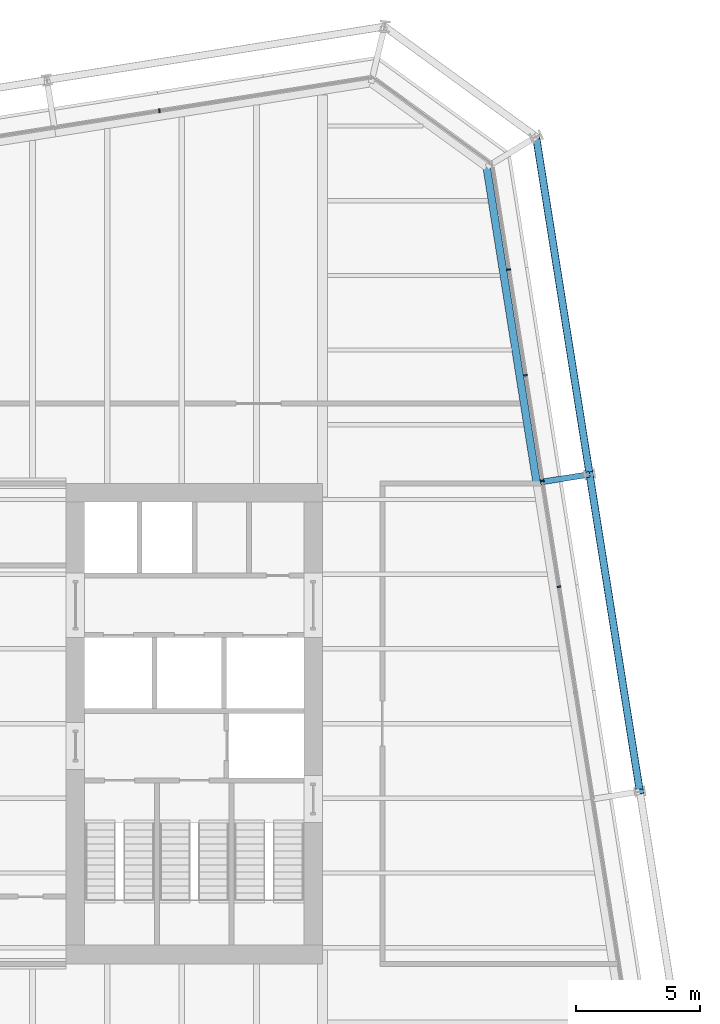
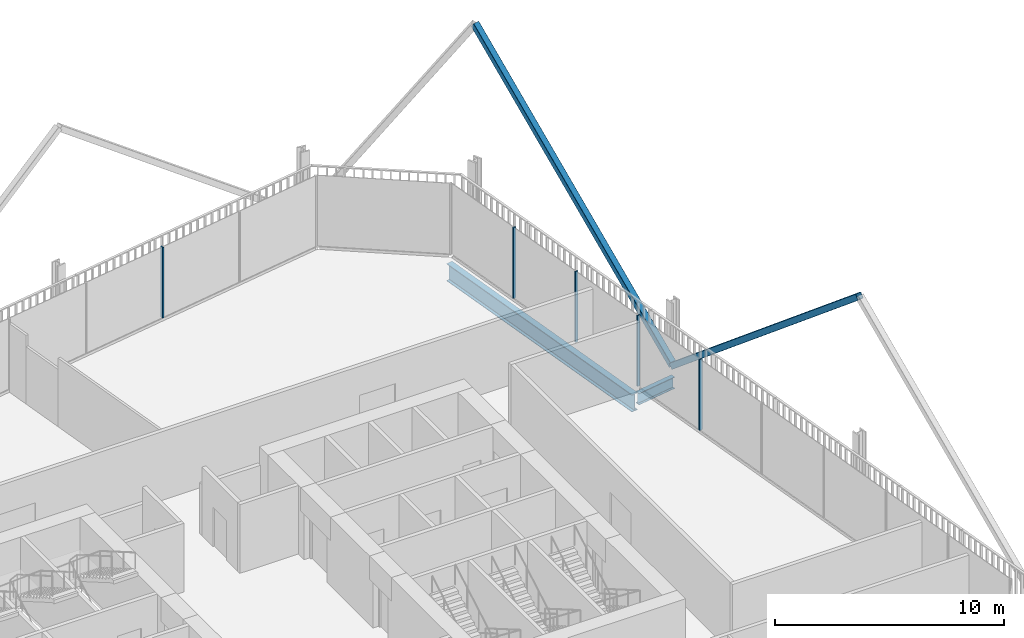
# One storey, part 15 of 22: 7 members, 2 beams, 2 elements without a shape of their own.
"""IFC4 building model written with IfcOpenShell, lengths in metres."""

from ifc_helpers import new_model, si_unit, direction, frame, origin, origin_2d, place, context, subcontext, project, spatial, rectangle, hollow_rectangle, i_section, extrude, material, layer, layer_set, material_profile, profile_set, type_object, element, aggregate, save


model = new_model("IFC4")

# Units and contexts
model_context = context("Model", 3, precision=1e-05, world=origin(), true_north=direction((0.0, 1.0)))
body_context = subcontext(model_context, "Body", "Model", "MODEL_VIEW")
ifc_project = project(units=[si_unit("LENGTHUNIT", "METRE"), si_unit("AREAUNIT", "SQUARE_METRE"), si_unit("VOLUMEUNIT", "CUBIC_METRE"), si_unit("PLANEANGLEUNIT", "RADIAN"), si_unit("MASSUNIT", "GRAM", prefix="KILO")], contexts=[model_context])

# Site, building, storey
site_placement = place(None, origin())
site = spatial("IfcSite", under=ifc_project, at=site_placement, CompositionType="ELEMENT")
building_placement = place(site_placement, origin())
building = spatial("IfcBuilding", under=site, at=building_placement, Name="Millrace Tower", CompositionType="ELEMENT")
storey_placement = place(building_placement, frame((0.0, 0.0, 168.5)))
storey = spatial("IfcBuildingStorey", under=building, at=storey_placement, Name="L38", CompositionType="ELEMENT", Elevation=168.5)

# Curtain wall, members
ifc_material_1 = material(Name="Aluminium and glass", Category="aluminium")
ifc_layer = layer(ifc_material_1, 0.14990234375)
ifc_layer_set = layer_set([ifc_layer], Name="Aluminium and glass")
curtain_wall_type = type_object("IfcCurtainWallType", Name="CW-1 office vision curtain wall", PredefinedType="NOTDEFINED", material=ifc_layer_set)
placement = place(storey_placement, origin())
curtain_wall_1 = element("IfcCurtainWall", 1, at=placement, inside=storey, type_object=curtain_wall_type, Name="Curtain wall C-F04 L38", PredefinedType="NOTDEFINED")
ifc_material_2 = material(Name="Aluminium", Category="aluminium")
ifc_material_profile_1 = material_profile(ifc_material_2, rectangle(XDim=0.06494140625, YDim=0.14990234375, at=origin_2d()))
ifc_profile_set_1 = profile_set([ifc_material_profile_1], Name="Aluminium")
member_type_1 = type_object("IfcMemberType", Name="CW-1 office vision curtain wall mullion", PredefinedType="MULLION", material=ifc_profile_set_1)
member_1_placement = place(storey_placement, frame((24.143310546875, 5.49365234375, 0.139892578125), z_axis=(0.0, 0.0, 1.0), x_axis=(-0.15643447328, 0.98768833929, 0.0)))
member_1 = element("IfcMember", 2, at=member_1_placement, type_object=member_type_1, Name="CW1 mullion C-F04.6", PredefinedType="MULLION", context=body_context, shape_type="SweptSolid", body=[
    extrude(rectangle(XDim=0.06494140625, YDim=0.14990234375, at=origin_2d()), origin(), (0.0, 0.0, 1.0), 3.760009765625),
])
member_2_placement = place(storey_placement, frame((23.470703125, 9.74072265625, 0.139892578125), z_axis=(0.0, 0.0, 1.0), x_axis=(-0.15643447328, 0.98768833929, 0.0)))
member_2 = element("IfcMember", 3, at=member_2_placement, type_object=member_type_1, Name="CW1 mullion C-F04.7", PredefinedType="MULLION", context=body_context, shape_type="SweptSolid", body=[
    extrude(rectangle(XDim=0.06494140625, YDim=0.14990234375, at=origin_2d()), origin(), (0.0, 0.0, 1.0), 3.760009765625),
])
member_3_placement = place(storey_placement, frame((22.798095703125, 13.98779296875, 0.139892578125), z_axis=(0.0, 0.0, 1.0), x_axis=(-0.15643447328, 0.98768833929, 0.0)))
member_3 = element("IfcMember", 4, at=member_3_placement, type_object=member_type_1, Name="CW1 mullion C-F04.8", PredefinedType="MULLION", context=body_context, shape_type="SweptSolid", body=[
    extrude(rectangle(XDim=0.06494140625, YDim=0.14990234375, at=origin_2d()), origin(), (0.0, 0.0, 1.0), 3.760009765625),
])
member_4_placement = place(storey_placement, frame((22.125244140625, 18.23486328125, 0.139892578125), z_axis=(0.0, 0.0, 1.0), x_axis=(-0.15643447328, 0.98768833929, 0.0)))
member_4 = element("IfcMember", 5, at=member_4_placement, type_object=member_type_1, Name="CW1 mullion C-F04.9", PredefinedType="MULLION", context=body_context, shape_type="SweptSolid", body=[
    extrude(rectangle(XDim=0.06494140625, YDim=0.14990234375, at=origin_2d()), origin(), (0.0, 0.0, 1.0), 3.760009765625),
])
aggregate(curtain_wall_1, [member_1, member_2, member_3, member_4])

# Curtain wall, member
curtain_wall_2 = element("IfcCurtainWall", 6, at=placement, inside=storey, type_object=curtain_wall_type, Name="Curtain wall C-F06 L38", PredefinedType="NOTDEFINED")
member_5_placement = place(storey_placement, frame((8.09765625, 24.611328125, 0.139892578125), z_axis=(0.0, 0.0, 1.0), x_axis=(-0.98768833929, -0.15643447328, 0.0)))
member_5 = element("IfcMember", 7, at=member_5_placement, type_object=member_type_1, Name="CW1 mullion C-F06.3", PredefinedType="MULLION", context=body_context, shape_type="SweptSolid", body=[
    extrude(rectangle(XDim=0.06494140625, YDim=0.14990234375, at=origin_2d()), origin(), (0.0, 0.0, 1.0), 3.760009765625),
])
aggregate(curtain_wall_2, [member_5])

# Members
ifc_material_3 = material(Name="Steel ASTM A500 Grade C", Category="steel")
ifc_material_profile_2 = material_profile(ifc_material_3, hollow_rectangle(XDim=0.3046875, YDim=0.3046875, WallThickness=0.0126953125, InnerFilletRadius=0.00634765625, OuterFilletRadius=0.01904296875, at=origin_2d()))
ifc_profile_set_2 = profile_set([ifc_material_profile_2], Name="Steel ASTM A500 Grade C")
member_type_2 = type_object("IfcMemberType", Name="Exoskeleton brace HSS12x12x1/2", PredefinedType="BRACE", material=ifc_profile_set_2)
member_6_placement = place(storey_placement, frame((25.376953125, 10.009765625, 0.39990234375), z_axis=(0.120408055254, -0.760205127947, 0.638427806156), x_axis=(0.987687659758, 0.156438763615, 0.0)))
element("IfcMember", 8, at=member_6_placement, inside=storey, type_object=member_type_2, Name="BRC-C-L38-07", PredefinedType="BRACE", context=body_context, shape_type="SweptSolid", body=[
    extrude(hollow_rectangle(XDim=0.3046875, YDim=0.3046875, WallThickness=0.0126953125, InnerFilletRadius=0.00634765625, OuterFilletRadius=0.01904296875, at=origin_2d()), origin(), (0.0, 0.0, 1.0), 16.76025390625),
])
member_7_placement = place(storey_placement, frame((25.376953125, 10.009765625, 0.39990234375), z_axis=(-0.123376328527, 0.779012950213, 0.614749627864), x_axis=(-0.987689751328, -0.156425557764, 0.0)))
element("IfcMember", 9, at=member_7_placement, inside=storey, type_object=member_type_2, Name="BRC-C-L38-08", PredefinedType="BRACE", context=body_context, shape_type="SweptSolid", body=[
    extrude(hollow_rectangle(XDim=0.3046875, YDim=0.3046875, WallThickness=0.0126953125, InnerFilletRadius=0.00634765625, OuterFilletRadius=0.01904296875, at=origin_2d()), origin(), (0.0, 0.0, 1.0), 17.40576171875),
])

# Beams
ifc_material_4 = material(Name="Steel ASTM A992 Grade 50", Category="steel")
ifc_material_profile_3 = material_profile(ifc_material_4, i_section(OverallWidth=0.23046875, OverallDepth=0.6171875, WebThickness=0.01318359375, FlangeThickness=0.022216796875, FilletRadius=0.012939453125, at=origin_2d()))
ifc_profile_set_3 = profile_set([ifc_material_profile_3], Name="Steel ASTM A992 Grade 50")
beam_type_1 = type_object("IfcBeamType", Name="Link beam W24x94", PredefinedType="BEAM", material=ifc_profile_set_3)
beam_1_placement = place(storey_placement, frame((23.401611328125, 9.69677734375, -0.468505859375), z_axis=(0.987678691416, 0.156495375404, 0.0), x_axis=(-0.156495375404, 0.987678691416, 0.0)))
element("IfcBeam", 10, at=beam_1_placement, inside=storey, type_object=beam_type_1, Name="LNK-C-L38-S1-10", PredefinedType="BEAM", context=body_context, shape_type="SweptSolid", body=[
    extrude(i_section(OverallWidth=0.23046875, OverallDepth=0.6171875, WebThickness=0.01318359375, FlangeThickness=0.022216796875, FilletRadius=0.012939453125, at=origin_2d()), origin(), (0.0, 0.0, 1.0), 2.0),
])
ifc_material_5 = material(Name="Steel ASTM A992 Grade 50", Category="steel")
ifc_material_profile_4 = material_profile(ifc_material_5, i_section(OverallWidth=0.307373046875, OverallDepth=0.927001953125, WebThickness=0.01953125, FlangeThickness=0.031982421875, FilletRadius=0.01904296875, at=origin_2d()))
ifc_profile_set_4 = profile_set([ifc_material_profile_4], Name="Steel ASTM A992 Grade 50")
beam_type_2 = type_object("IfcBeamType", Name="Ring beam medium span W36x194", PredefinedType="SPANDREL", material=ifc_profile_set_4)
beam_2_placement = place(storey_placement, frame((21.241943359375, 22.35107421875, -0.62353515625), z_axis=(0.156436246498, -0.987688058438, 0.0), x_axis=(0.987688058438, 0.156436246498, 0.0)))
element("IfcBeam", 11, at=beam_2_placement, inside=storey, type_object=beam_type_2, Name="RNG-C-L38-S1-09", PredefinedType="SPANDREL", context=body_context, shape_type="SweptSolid", body=[
    extrude(i_section(OverallWidth=0.307373046875, OverallDepth=0.927001953125, WebThickness=0.01953125, FlangeThickness=0.031982421875, FilletRadius=0.01904296875, at=origin_2d()), origin(), (0.0, 0.0, 1.0), 12.836181640625),
])

save(model, "model.ifc")
